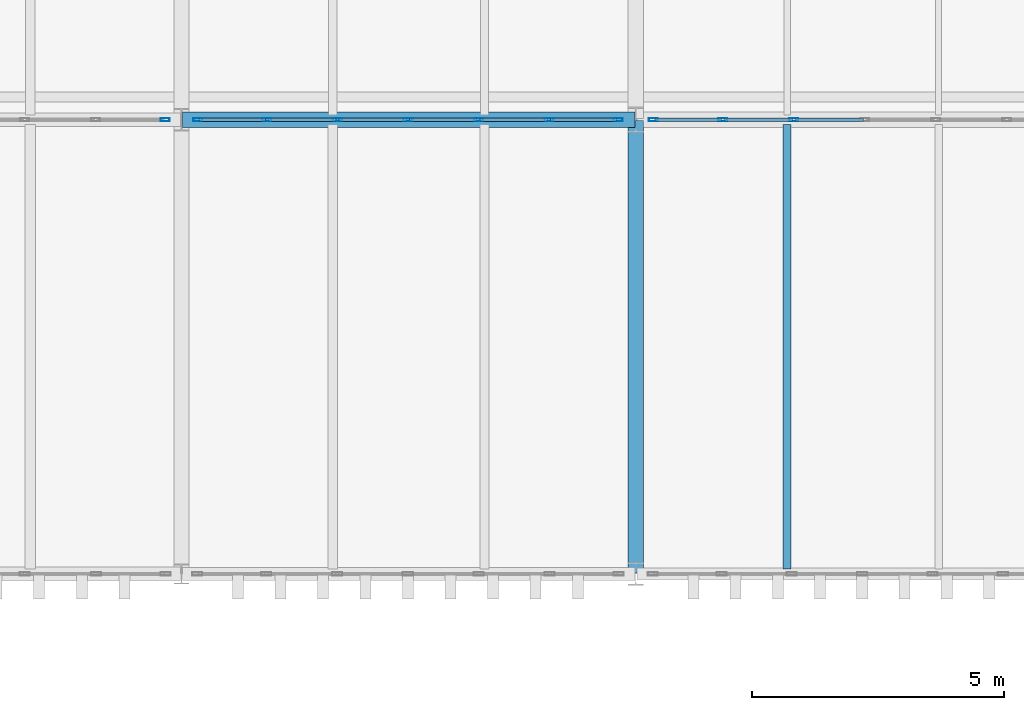
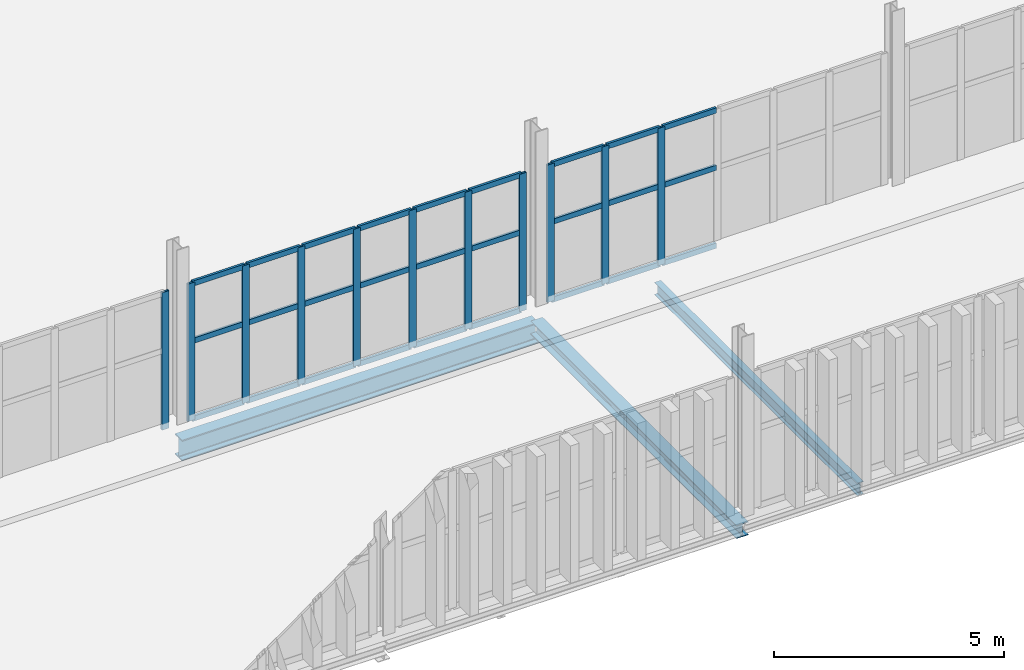
# One storey, part 34 of 196: 38 members, 3 beams, 3 elements without a shape of their own.
"""IFC4 building model written with IfcOpenShell, lengths in metres."""

from ifc_helpers import new_model, si_unit, direction, frame, origin, origin_2d, place, context, subcontext, project, spatial, hollow_rectangle, i_section, extrude, material, layer, layer_set, material_profile, profile_set, type_object, element, aggregate, save


model = new_model("IFC4")

# Units and contexts
model_context = context("Model", 3, precision=1e-05, world=origin(), true_north=direction((0.0, 1.0)))
body_context = subcontext(model_context, "Body", "Model", "MODEL_VIEW")
ifc_project = project(units=[si_unit("LENGTHUNIT", "METRE"), si_unit("AREAUNIT", "SQUARE_METRE"), si_unit("VOLUMEUNIT", "CUBIC_METRE"), si_unit("PLANEANGLEUNIT", "RADIAN"), si_unit("MASSUNIT", "GRAM", prefix="KILO")], contexts=[model_context])

# Site, building, storey
site_placement = place(None, origin())
site = spatial("IfcSite", under=ifc_project, at=site_placement, CompositionType="ELEMENT")
building_placement = place(site_placement, origin())
building = spatial("IfcBuilding", under=site, at=building_placement, Name="Barlavento Convention Centre", CompositionType="ELEMENT")
storey_placement = place(building_placement, frame((0.0, 0.0, 18.0)))
storey = spatial("IfcBuildingStorey", under=building, at=storey_placement, Name="L03", CompositionType="ELEMENT", Elevation=18.0)

# Curtain wall, member
ifc_material_1 = material(Name="Powder-coated aluminium and Low-E glass", Category="aluminium")
ifc_layer = layer(ifc_material_1, 0.179931640625)
ifc_layer_set = layer_set([ifc_layer], Name="ARC-CW-CONF-L03")
curtain_wall_type = type_object("IfcCurtainWallType", Name="ARC-CW-CONF-L03", PredefinedType="NOTDEFINED", material=ifc_layer_set)
curtain_wall_1_placement = place(storey_placement, origin())
curtain_wall_1 = element("IfcCurtainWall", 1, at=curtain_wall_1_placement, inside=storey, type_object=curtain_wall_type, Name="L03 unitised curtain wall CW08", PredefinedType="NOTDEFINED")
ifc_material_2 = material(Name="Powder-coated aluminium", Category="aluminium")
ifc_material_profile_1 = material_profile(ifc_material_2, hollow_rectangle(XDim=0.06005859375, YDim=0.179931640625, WallThickness=0.0048828125, at=origin_2d()), Name="AL-MULL 60x180x5")
ifc_profile_set_1 = profile_set([ifc_material_profile_1], Name="Powder-coated aluminium")
member_type_1 = type_object("IfcMemberType", Name="ARC-CWM-60X180", PredefinedType="MULLION", material=ifc_profile_set_1)
member_1_placement = place(storey_placement, frame((80.675048828125, 54.0, 0.0), z_axis=(0.0, 0.0, 1.0), x_axis=(0.0, 1.0, 0.0)))
member_1 = element("IfcMember", 2, at=member_1_placement, type_object=member_type_1, Name="CW08 mullion 7", PredefinedType="MULLION", context=body_context, shape_type="SweptSolid", body=[
    extrude(hollow_rectangle(XDim=0.06005859375, YDim=0.179931640625, WallThickness=0.0048828125, at=origin_2d()), origin(), (0.0, 0.0, 1.0), 3.64990234375),
])
aggregate(curtain_wall_1, [member_1])

# Curtain wall, members
curtain_wall_2_placement = place(storey_placement, origin())
curtain_wall_2 = element("IfcCurtainWall", 3, at=curtain_wall_2_placement, inside=storey, type_object=curtain_wall_type, Name="L03 unitised curtain wall CW08", PredefinedType="NOTDEFINED")
member_2_placement = place(storey_placement, frame((81.324951171875, 54.0, 0.0), z_axis=(0.0, 0.0, 1.0), x_axis=(0.0, 1.0, 0.0)))
member_2 = element("IfcMember", 4, at=member_2_placement, type_object=member_type_1, Name="CW08 mullion 1", PredefinedType="MULLION", context=body_context, shape_type="SweptSolid", body=[
    extrude(hollow_rectangle(XDim=0.06005859375, YDim=0.179931640625, WallThickness=0.0048828125, at=origin_2d()), origin(), (0.0, 0.0, 1.0), 3.64990234375),
])
member_3_placement = place(storey_placement, frame((82.6923828125, 54.0, 0.0), z_axis=(0.0, 0.0, 1.0), x_axis=(0.0, 1.0, 0.0)))
member_3 = element("IfcMember", 5, at=member_3_placement, type_object=member_type_1, Name="CW08 mullion 2", PredefinedType="MULLION", context=body_context, shape_type="SweptSolid", body=[
    extrude(hollow_rectangle(XDim=0.06005859375, YDim=0.179931640625, WallThickness=0.0048828125, at=origin_2d()), origin(), (0.0, 0.0, 1.0), 3.64990234375),
])
member_4_placement = place(storey_placement, frame((84.090087890625, 54.0, 0.0), z_axis=(0.0, 0.0, 1.0), x_axis=(0.0, 1.0, 0.0)))
member_4 = element("IfcMember", 6, at=member_4_placement, type_object=member_type_1, Name="CW08 mullion 3", PredefinedType="MULLION", context=body_context, shape_type="SweptSolid", body=[
    extrude(hollow_rectangle(XDim=0.06005859375, YDim=0.179931640625, WallThickness=0.0048828125, at=origin_2d()), origin(), (0.0, 0.0, 1.0), 3.64990234375),
])
member_5_placement = place(storey_placement, frame((85.487548828125, 54.0, 0.0), z_axis=(0.0, 0.0, 1.0), x_axis=(0.0, 1.0, 0.0)))
member_5 = element("IfcMember", 7, at=member_5_placement, type_object=member_type_1, Name="CW08 mullion 4", PredefinedType="MULLION", context=body_context, shape_type="SweptSolid", body=[
    extrude(hollow_rectangle(XDim=0.06005859375, YDim=0.179931640625, WallThickness=0.0048828125, at=origin_2d()), origin(), (0.0, 0.0, 1.0), 3.64990234375),
])
member_6_placement = place(storey_placement, frame((86.885009765625, 54.0, 0.0), z_axis=(0.0, 0.0, 1.0), x_axis=(0.0, 1.0, 0.0)))
member_6 = element("IfcMember", 8, at=member_6_placement, type_object=member_type_1, Name="CW08 mullion 5", PredefinedType="MULLION", context=body_context, shape_type="SweptSolid", body=[
    extrude(hollow_rectangle(XDim=0.06005859375, YDim=0.179931640625, WallThickness=0.0048828125, at=origin_2d()), origin(), (0.0, 0.0, 1.0), 3.64990234375),
])
member_7_placement = place(storey_placement, frame((88.282470703125, 54.0, 0.0), z_axis=(0.0, 0.0, 1.0), x_axis=(0.0, 1.0, 0.0)))
member_7 = element("IfcMember", 9, at=member_7_placement, type_object=member_type_1, Name="CW08 mullion 6", PredefinedType="MULLION", context=body_context, shape_type="SweptSolid", body=[
    extrude(hollow_rectangle(XDim=0.06005859375, YDim=0.179931640625, WallThickness=0.0048828125, at=origin_2d()), origin(), (0.0, 0.0, 1.0), 3.64990234375),
])
member_8_placement = place(storey_placement, frame((89.64990234375, 54.0, 0.0), z_axis=(0.0, 0.0, 1.0), x_axis=(0.0, 1.0, 0.0)))
member_8 = element("IfcMember", 10, at=member_8_placement, type_object=member_type_1, Name="CW08 mullion 7", PredefinedType="MULLION", context=body_context, shape_type="SweptSolid", body=[
    extrude(hollow_rectangle(XDim=0.06005859375, YDim=0.179931640625, WallThickness=0.0048828125, at=origin_2d()), origin(), (0.0, 0.0, 1.0), 3.64990234375),
])

curtain_wall_3_placement = place(storey_placement, origin())
curtain_wall_3 = element("IfcCurtainWall", 11, at=curtain_wall_3_placement, inside=storey, type_object=curtain_wall_type, Name="L03 unitised curtain wall CW08", PredefinedType="NOTDEFINED")
member_9_placement = place(storey_placement, frame((90.35009765625, 54.0, 0.0), z_axis=(0.0, 0.0, 1.0), x_axis=(0.0, 1.0, 0.0)))
member_9 = element("IfcMember", 12, at=member_9_placement, type_object=member_type_1, Name="CW08 mullion 1", PredefinedType="MULLION", context=body_context, shape_type="SweptSolid", body=[
    extrude(hollow_rectangle(XDim=0.06005859375, YDim=0.179931640625, WallThickness=0.0048828125, at=origin_2d()), origin(), (0.0, 0.0, 1.0), 3.64990234375),
])
member_10_placement = place(storey_placement, frame((91.7265625, 54.0, 0.0), z_axis=(0.0, 0.0, 1.0), x_axis=(0.0, 1.0, 0.0)))
member_10 = element("IfcMember", 13, at=member_10_placement, type_object=member_type_1, Name="CW08 mullion 2", PredefinedType="MULLION", context=body_context, shape_type="SweptSolid", body=[
    extrude(hollow_rectangle(XDim=0.06005859375, YDim=0.179931640625, WallThickness=0.0048828125, at=origin_2d()), origin(), (0.0, 0.0, 1.0), 3.64990234375),
])
member_11_placement = place(storey_placement, frame((93.13330078125, 54.0, 0.0), z_axis=(0.0, 0.0, 1.0), x_axis=(0.0, 1.0, 0.0)))
member_11 = element("IfcMember", 14, at=member_11_placement, type_object=member_type_1, Name="CW08 mullion 3", PredefinedType="MULLION", context=body_context, shape_type="SweptSolid", body=[
    extrude(hollow_rectangle(XDim=0.06005859375, YDim=0.179931640625, WallThickness=0.0048828125, at=origin_2d()), origin(), (0.0, 0.0, 1.0), 3.64990234375),
])

# Member
ifc_material_profile_2 = material_profile(ifc_material_2, hollow_rectangle(XDim=0.06005859375, YDim=0.139892578125, WallThickness=0.00390625, at=origin_2d()), Name="AL-TRAN 60x140x4")
ifc_profile_set_2 = profile_set([ifc_material_profile_2], Name="Powder-coated aluminium")
member_type_2 = type_object("IfcMemberType", Name="ARC-CWT-60X140", PredefinedType="USERDEFINED", material=ifc_profile_set_2)
member_12_placement = place(storey_placement, frame((81.35498046875, 54.0, 0.030029296875), z_axis=(1.0, 0.0, 0.0), x_axis=(0.0, 1.0, 0.0)))
member_12 = element("IfcMember", 15, at=member_12_placement, type_object=member_type_2, Name="CW08 transom 1.1", ObjectType="TRANSOM", PredefinedType="USERDEFINED", context=body_context, shape_type="SweptSolid", body=[
    extrude(hollow_rectangle(XDim=0.06005859375, YDim=0.139892578125, WallThickness=0.00390625, at=origin_2d()), origin(), (0.0, 0.0, 1.0), 1.3076171875),
])

member_13_placement = place(storey_placement, frame((81.35498046875, 54.0, 2.10009765625), z_axis=(1.0, 0.0, 0.0), x_axis=(0.0, 1.0, 0.0)))
member_13 = element("IfcMember", 16, at=member_13_placement, type_object=member_type_2, Name="CW08 transom 1.2", ObjectType="TRANSOM", PredefinedType="USERDEFINED", context=body_context, shape_type="SweptSolid", body=[
    extrude(hollow_rectangle(XDim=0.06005859375, YDim=0.139892578125, WallThickness=0.00390625, at=origin_2d()), origin(), (0.0, 0.0, 1.0), 1.3076171875),
])

member_14_placement = place(storey_placement, frame((81.35498046875, 54.0, 3.6201171875), z_axis=(1.0, 0.0, 0.0), x_axis=(0.0, 1.0, 0.0)))
member_14 = element("IfcMember", 17, at=member_14_placement, type_object=member_type_2, Name="CW08 transom 1.3", ObjectType="TRANSOM", PredefinedType="USERDEFINED", context=body_context, shape_type="SweptSolid", body=[
    extrude(hollow_rectangle(XDim=0.06005859375, YDim=0.139892578125, WallThickness=0.00390625, at=origin_2d()), origin(), (0.0, 0.0, 1.0), 1.3076171875),
])

member_15_placement = place(storey_placement, frame((82.722412109375, 54.0, 0.030029296875), z_axis=(1.0, 0.0, 0.0), x_axis=(0.0, 1.0, 0.0)))
member_15 = element("IfcMember", 18, at=member_15_placement, type_object=member_type_2, Name="CW08 transom 2.1", ObjectType="TRANSOM", PredefinedType="USERDEFINED", context=body_context, shape_type="SweptSolid", body=[
    extrude(hollow_rectangle(XDim=0.06005859375, YDim=0.139892578125, WallThickness=0.00390625, at=origin_2d()), origin(), (0.0, 0.0, 1.0), 1.337646484375),
])

member_16_placement = place(storey_placement, frame((82.722412109375, 54.0, 2.10009765625), z_axis=(1.0, 0.0, 0.0), x_axis=(0.0, 1.0, 0.0)))
member_16 = element("IfcMember", 19, at=member_16_placement, type_object=member_type_2, Name="CW08 transom 2.2", ObjectType="TRANSOM", PredefinedType="USERDEFINED", context=body_context, shape_type="SweptSolid", body=[
    extrude(hollow_rectangle(XDim=0.06005859375, YDim=0.139892578125, WallThickness=0.00390625, at=origin_2d()), origin(), (0.0, 0.0, 1.0), 1.337646484375),
])

member_17_placement = place(storey_placement, frame((82.722412109375, 54.0, 3.6201171875), z_axis=(1.0, 0.0, 0.0), x_axis=(0.0, 1.0, 0.0)))
member_17 = element("IfcMember", 20, at=member_17_placement, type_object=member_type_2, Name="CW08 transom 2.3", ObjectType="TRANSOM", PredefinedType="USERDEFINED", context=body_context, shape_type="SweptSolid", body=[
    extrude(hollow_rectangle(XDim=0.06005859375, YDim=0.139892578125, WallThickness=0.00390625, at=origin_2d()), origin(), (0.0, 0.0, 1.0), 1.337646484375),
])

member_18_placement = place(storey_placement, frame((84.1201171875, 54.0, 0.030029296875), z_axis=(1.0, 0.0, 0.0), x_axis=(0.0, 1.0, 0.0)))
member_18 = element("IfcMember", 21, at=member_18_placement, type_object=member_type_2, Name="CW08 transom 3.1", ObjectType="TRANSOM", PredefinedType="USERDEFINED", context=body_context, shape_type="SweptSolid", body=[
    extrude(hollow_rectangle(XDim=0.06005859375, YDim=0.139892578125, WallThickness=0.00390625, at=origin_2d()), origin(), (0.0, 0.0, 1.0), 1.33740234375),
])

member_19_placement = place(storey_placement, frame((84.1201171875, 54.0, 2.10009765625), z_axis=(1.0, 0.0, 0.0), x_axis=(0.0, 1.0, 0.0)))
member_19 = element("IfcMember", 22, at=member_19_placement, type_object=member_type_2, Name="CW08 transom 3.2", ObjectType="TRANSOM", PredefinedType="USERDEFINED", context=body_context, shape_type="SweptSolid", body=[
    extrude(hollow_rectangle(XDim=0.06005859375, YDim=0.139892578125, WallThickness=0.00390625, at=origin_2d()), origin(), (0.0, 0.0, 1.0), 1.33740234375),
])

member_20_placement = place(storey_placement, frame((84.1201171875, 54.0, 3.6201171875), z_axis=(1.0, 0.0, 0.0), x_axis=(0.0, 1.0, 0.0)))
member_20 = element("IfcMember", 23, at=member_20_placement, type_object=member_type_2, Name="CW08 transom 3.3", ObjectType="TRANSOM", PredefinedType="USERDEFINED", context=body_context, shape_type="SweptSolid", body=[
    extrude(hollow_rectangle(XDim=0.06005859375, YDim=0.139892578125, WallThickness=0.00390625, at=origin_2d()), origin(), (0.0, 0.0, 1.0), 1.33740234375),
])

member_21_placement = place(storey_placement, frame((85.517578125, 54.0, 0.030029296875), z_axis=(1.0, 0.0, 0.0), x_axis=(0.0, 1.0, 0.0)))
member_21 = element("IfcMember", 24, at=member_21_placement, type_object=member_type_2, Name="CW08 transom 4.1", ObjectType="TRANSOM", PredefinedType="USERDEFINED", context=body_context, shape_type="SweptSolid", body=[
    extrude(hollow_rectangle(XDim=0.06005859375, YDim=0.139892578125, WallThickness=0.00390625, at=origin_2d()), origin(), (0.0, 0.0, 1.0), 1.33740234375),
])

member_22_placement = place(storey_placement, frame((85.517578125, 54.0, 2.10009765625), z_axis=(1.0, 0.0, 0.0), x_axis=(0.0, 1.0, 0.0)))
member_22 = element("IfcMember", 25, at=member_22_placement, type_object=member_type_2, Name="CW08 transom 4.2", ObjectType="TRANSOM", PredefinedType="USERDEFINED", context=body_context, shape_type="SweptSolid", body=[
    extrude(hollow_rectangle(XDim=0.06005859375, YDim=0.139892578125, WallThickness=0.00390625, at=origin_2d()), origin(), (0.0, 0.0, 1.0), 1.33740234375),
])

member_23_placement = place(storey_placement, frame((85.517578125, 54.0, 3.6201171875), z_axis=(1.0, 0.0, 0.0), x_axis=(0.0, 1.0, 0.0)))
member_23 = element("IfcMember", 26, at=member_23_placement, type_object=member_type_2, Name="CW08 transom 4.3", ObjectType="TRANSOM", PredefinedType="USERDEFINED", context=body_context, shape_type="SweptSolid", body=[
    extrude(hollow_rectangle(XDim=0.06005859375, YDim=0.139892578125, WallThickness=0.00390625, at=origin_2d()), origin(), (0.0, 0.0, 1.0), 1.33740234375),
])

member_24_placement = place(storey_placement, frame((86.9150390625, 54.0, 0.030029296875), z_axis=(1.0, 0.0, 0.0), x_axis=(0.0, 1.0, 0.0)))
member_24 = element("IfcMember", 27, at=member_24_placement, type_object=member_type_2, Name="CW08 transom 5.1", ObjectType="TRANSOM", PredefinedType="USERDEFINED", context=body_context, shape_type="SweptSolid", body=[
    extrude(hollow_rectangle(XDim=0.06005859375, YDim=0.139892578125, WallThickness=0.00390625, at=origin_2d()), origin(), (0.0, 0.0, 1.0), 1.33740234375),
])

member_25_placement = place(storey_placement, frame((86.9150390625, 54.0, 2.10009765625), z_axis=(1.0, 0.0, 0.0), x_axis=(0.0, 1.0, 0.0)))
member_25 = element("IfcMember", 28, at=member_25_placement, type_object=member_type_2, Name="CW08 transom 5.2", ObjectType="TRANSOM", PredefinedType="USERDEFINED", context=body_context, shape_type="SweptSolid", body=[
    extrude(hollow_rectangle(XDim=0.06005859375, YDim=0.139892578125, WallThickness=0.00390625, at=origin_2d()), origin(), (0.0, 0.0, 1.0), 1.33740234375),
])

member_26_placement = place(storey_placement, frame((86.9150390625, 54.0, 3.6201171875), z_axis=(1.0, 0.0, 0.0), x_axis=(0.0, 1.0, 0.0)))
member_26 = element("IfcMember", 29, at=member_26_placement, type_object=member_type_2, Name="CW08 transom 5.3", ObjectType="TRANSOM", PredefinedType="USERDEFINED", context=body_context, shape_type="SweptSolid", body=[
    extrude(hollow_rectangle(XDim=0.06005859375, YDim=0.139892578125, WallThickness=0.00390625, at=origin_2d()), origin(), (0.0, 0.0, 1.0), 1.33740234375),
])

member_27_placement = place(storey_placement, frame((88.3125, 54.0, 0.030029296875), z_axis=(1.0, 0.0, 0.0), x_axis=(0.0, 1.0, 0.0)))
member_27 = element("IfcMember", 30, at=member_27_placement, type_object=member_type_2, Name="CW08 transom 6.1", ObjectType="TRANSOM", PredefinedType="USERDEFINED", context=body_context, shape_type="SweptSolid", body=[
    extrude(hollow_rectangle(XDim=0.06005859375, YDim=0.139892578125, WallThickness=0.00390625, at=origin_2d()), origin(), (0.0, 0.0, 1.0), 1.3076171875),
])

member_28_placement = place(storey_placement, frame((88.3125, 54.0, 2.10009765625), z_axis=(1.0, 0.0, 0.0), x_axis=(0.0, 1.0, 0.0)))
member_28 = element("IfcMember", 31, at=member_28_placement, type_object=member_type_2, Name="CW08 transom 6.2", ObjectType="TRANSOM", PredefinedType="USERDEFINED", context=body_context, shape_type="SweptSolid", body=[
    extrude(hollow_rectangle(XDim=0.06005859375, YDim=0.139892578125, WallThickness=0.00390625, at=origin_2d()), origin(), (0.0, 0.0, 1.0), 1.3076171875),
])

member_29_placement = place(storey_placement, frame((88.3125, 54.0, 3.6201171875), z_axis=(1.0, 0.0, 0.0), x_axis=(0.0, 1.0, 0.0)))
member_29 = element("IfcMember", 32, at=member_29_placement, type_object=member_type_2, Name="CW08 transom 6.3", ObjectType="TRANSOM", PredefinedType="USERDEFINED", context=body_context, shape_type="SweptSolid", body=[
    extrude(hollow_rectangle(XDim=0.06005859375, YDim=0.139892578125, WallThickness=0.00390625, at=origin_2d()), origin(), (0.0, 0.0, 1.0), 1.3076171875),
])

aggregate(curtain_wall_2, [member_2, member_3, member_4, member_5, member_6, member_7, member_8, member_12, member_13, member_14, member_15, member_16, member_17, member_18, member_19, member_20, member_21, member_22, member_23, member_24, member_25, member_26, member_27, member_28, member_29])

member_30_placement = place(storey_placement, frame((90.3798828125, 54.0, 0.030029296875), z_axis=(1.0, 0.0, 0.0), x_axis=(0.0, 1.0, 0.0)))
member_30 = element("IfcMember", 33, at=member_30_placement, type_object=member_type_2, Name="CW08 transom 1.1", ObjectType="TRANSOM", PredefinedType="USERDEFINED", context=body_context, shape_type="SweptSolid", body=[
    extrude(hollow_rectangle(XDim=0.06005859375, YDim=0.139892578125, WallThickness=0.00390625, at=origin_2d()), origin(), (0.0, 0.0, 1.0), 1.31689453125),
])

member_31_placement = place(storey_placement, frame((90.3798828125, 54.0, 2.10009765625), z_axis=(1.0, 0.0, 0.0), x_axis=(0.0, 1.0, 0.0)))
member_31 = element("IfcMember", 34, at=member_31_placement, type_object=member_type_2, Name="CW08 transom 1.2", ObjectType="TRANSOM", PredefinedType="USERDEFINED", context=body_context, shape_type="SweptSolid", body=[
    extrude(hollow_rectangle(XDim=0.06005859375, YDim=0.139892578125, WallThickness=0.00390625, at=origin_2d()), origin(), (0.0, 0.0, 1.0), 1.31689453125),
])

member_32_placement = place(storey_placement, frame((90.3798828125, 54.0, 3.6201171875), z_axis=(1.0, 0.0, 0.0), x_axis=(0.0, 1.0, 0.0)))
member_32 = element("IfcMember", 35, at=member_32_placement, type_object=member_type_2, Name="CW08 transom 1.3", ObjectType="TRANSOM", PredefinedType="USERDEFINED", context=body_context, shape_type="SweptSolid", body=[
    extrude(hollow_rectangle(XDim=0.06005859375, YDim=0.139892578125, WallThickness=0.00390625, at=origin_2d()), origin(), (0.0, 0.0, 1.0), 1.31689453125),
])

member_33_placement = place(storey_placement, frame((91.756591796875, 54.0, 0.030029296875), z_axis=(1.0, 0.0, 0.0), x_axis=(0.0, 1.0, 0.0)))
member_33 = element("IfcMember", 36, at=member_33_placement, type_object=member_type_2, Name="CW08 transom 2.1", ObjectType="TRANSOM", PredefinedType="USERDEFINED", context=body_context, shape_type="SweptSolid", body=[
    extrude(hollow_rectangle(XDim=0.06005859375, YDim=0.139892578125, WallThickness=0.00390625, at=origin_2d()), origin(), (0.0, 0.0, 1.0), 1.3466796875),
])

member_34_placement = place(storey_placement, frame((91.756591796875, 54.0, 2.10009765625), z_axis=(1.0, 0.0, 0.0), x_axis=(0.0, 1.0, 0.0)))
member_34 = element("IfcMember", 37, at=member_34_placement, type_object=member_type_2, Name="CW08 transom 2.2", ObjectType="TRANSOM", PredefinedType="USERDEFINED", context=body_context, shape_type="SweptSolid", body=[
    extrude(hollow_rectangle(XDim=0.06005859375, YDim=0.139892578125, WallThickness=0.00390625, at=origin_2d()), origin(), (0.0, 0.0, 1.0), 1.3466796875),
])

member_35_placement = place(storey_placement, frame((91.756591796875, 54.0, 3.6201171875), z_axis=(1.0, 0.0, 0.0), x_axis=(0.0, 1.0, 0.0)))
member_35 = element("IfcMember", 38, at=member_35_placement, type_object=member_type_2, Name="CW08 transom 2.3", ObjectType="TRANSOM", PredefinedType="USERDEFINED", context=body_context, shape_type="SweptSolid", body=[
    extrude(hollow_rectangle(XDim=0.06005859375, YDim=0.139892578125, WallThickness=0.00390625, at=origin_2d()), origin(), (0.0, 0.0, 1.0), 1.3466796875),
])

member_36_placement = place(storey_placement, frame((93.163330078125, 54.0, 0.030029296875), z_axis=(1.0, 0.0, 0.0), x_axis=(0.0, 1.0, 0.0)))
member_36 = element("IfcMember", 39, at=member_36_placement, type_object=member_type_2, Name="CW08 transom 3.1", ObjectType="TRANSOM", PredefinedType="USERDEFINED", context=body_context, shape_type="SweptSolid", body=[
    extrude(hollow_rectangle(XDim=0.06005859375, YDim=0.139892578125, WallThickness=0.00390625, at=origin_2d()), origin(), (0.0, 0.0, 1.0), 1.3466796875),
])

member_37_placement = place(storey_placement, frame((93.163330078125, 54.0, 2.10009765625), z_axis=(1.0, 0.0, 0.0), x_axis=(0.0, 1.0, 0.0)))
member_37 = element("IfcMember", 40, at=member_37_placement, type_object=member_type_2, Name="CW08 transom 3.2", ObjectType="TRANSOM", PredefinedType="USERDEFINED", context=body_context, shape_type="SweptSolid", body=[
    extrude(hollow_rectangle(XDim=0.06005859375, YDim=0.139892578125, WallThickness=0.00390625, at=origin_2d()), origin(), (0.0, 0.0, 1.0), 1.3466796875),
])

member_38_placement = place(storey_placement, frame((93.163330078125, 54.0, 3.6201171875), z_axis=(1.0, 0.0, 0.0), x_axis=(0.0, 1.0, 0.0)))
member_38 = element("IfcMember", 41, at=member_38_placement, type_object=member_type_2, Name="CW08 transom 3.3", ObjectType="TRANSOM", PredefinedType="USERDEFINED", context=body_context, shape_type="SweptSolid", body=[
    extrude(hollow_rectangle(XDim=0.06005859375, YDim=0.139892578125, WallThickness=0.00390625, at=origin_2d()), origin(), (0.0, 0.0, 1.0), 1.3466796875),
])

aggregate(curtain_wall_3, [member_9, member_10, member_11, member_30, member_31, member_32, member_33, member_34, member_35, member_36, member_37, member_38])

# Beams
ifc_material_3 = material(Name="Steel S355", Category="steel")
ifc_material_profile_3 = material_profile(ifc_material_3, i_section(OverallWidth=0.159912109375, OverallDepth=0.330078125, WebThickness=0.007568359375, FlangeThickness=0.011474609375, FilletRadius=0.01806640625, at=origin_2d()), Name="IPE 330")
ifc_profile_set_3 = profile_set([ifc_material_profile_3], Name="Steel S355")
beam_type_1 = type_object("IfcBeamType", Name="STR-BM-JST-IPE330", PredefinedType="JOIST", material=ifc_profile_set_3)
beam_1_placement = place(storey_placement, frame((93.0, 45.094970703125, -0.510009765625), z_axis=(0.0, 1.0, 0.0), x_axis=(-1.0, 0.0, 0.0)))
element("IfcBeam", 42, at=beam_1_placement, inside=storey, type_object=beam_type_1, Name="L03 composite floor joist SJ06", PredefinedType="JOIST", context=body_context, shape_type="SweptSolid", body=[
    extrude(i_section(OverallWidth=0.159912109375, OverallDepth=0.330078125, WebThickness=0.007568359375, FlangeThickness=0.011474609375, FilletRadius=0.01806640625, at=origin_2d()), origin(), (0.0, 0.0, 1.0), 8.81005859375),
])
ifc_material_profile_4 = material_profile(ifc_material_3, i_section(OverallWidth=0.300048828125, OverallDepth=0.35009765625, WebThickness=0.010009765625, FlangeThickness=0.017578125, FilletRadius=0.027099609375, at=origin_2d()), Name="HEA 360")
ifc_profile_set_4 = profile_set([ifc_material_profile_4], Name="Steel S355")
beam_type_2 = type_object("IfcBeamType", Name="STR-BM-PRI-HEA360", PredefinedType="BEAM", material=ifc_profile_set_4)
beam_2_placement = place(storey_placement, frame((90.0, 45.02001953125, -0.52001953125), z_axis=(0.0, 1.0, 0.0), x_axis=(-1.0, 0.0, 0.0)))
element("IfcBeam", 43, at=beam_2_placement, inside=storey, type_object=beam_type_2, Name="L03 grid girder BG23", PredefinedType="BEAM", context=body_context, shape_type="SweptSolid", body=[
    extrude(i_section(OverallWidth=0.300048828125, OverallDepth=0.35009765625, WebThickness=0.010009765625, FlangeThickness=0.017578125, FilletRadius=0.027099609375, at=origin_2d()), origin(), (0.0, 0.0, 1.0), 8.9599609375),
])
ifc_material_profile_5 = material_profile(ifc_material_3, i_section(OverallWidth=0.300048828125, OverallDepth=0.550048828125, WebThickness=0.014892578125, FlangeThickness=0.029052734375, FilletRadius=0.027099609375, at=origin_2d()), Name="HEB 550")
ifc_profile_set_5 = profile_set([ifc_material_profile_5], Name="Steel S355")
beam_type_3 = type_object("IfcBeamType", Name="STR-BM-PRI-HEB550", PredefinedType="BEAM", material=ifc_profile_set_5)
beam_3_placement = place(storey_placement, frame((81.02001953125, 54.0, -0.6201171875), z_axis=(1.0, 0.0, 0.0), x_axis=(0.0, 1.0, 0.0)))
element("IfcBeam", 44, at=beam_3_placement, inside=storey, type_object=beam_type_3, Name="L03 primary girder BG08", PredefinedType="BEAM", context=body_context, shape_type="SweptSolid", body=[
    extrude(i_section(OverallWidth=0.300048828125, OverallDepth=0.550048828125, WebThickness=0.014892578125, FlangeThickness=0.029052734375, FilletRadius=0.027099609375, at=origin_2d()), origin(), (0.0, 0.0, 1.0), 8.9599609375),
])

save(model, "model.ifc")
